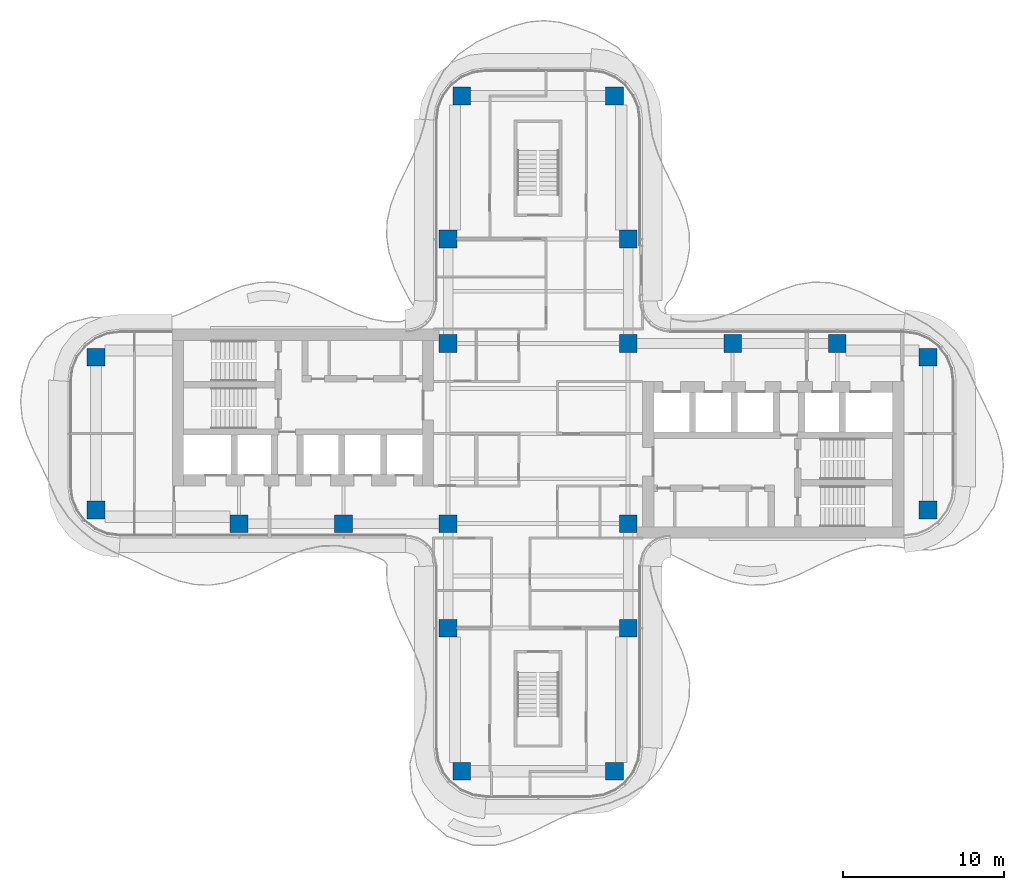
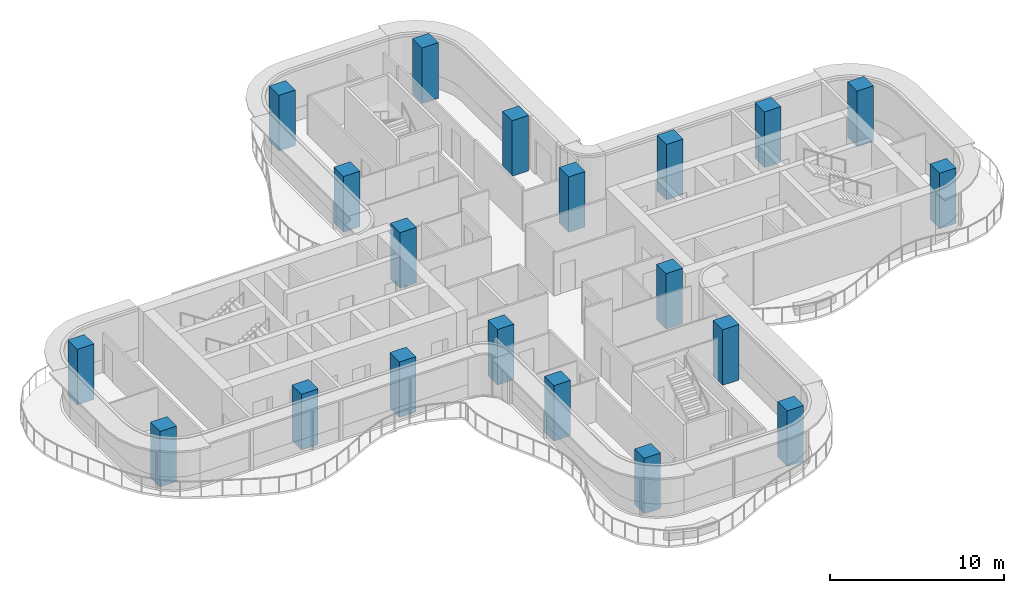
# One storey, part 1 of 16: 20 columns.
"""IFC4 building model written with IfcOpenShell, lengths in metres."""

from ifc_helpers import new_model, si_unit, direction, frame, origin, origin_2d, place, context, subcontext, project, spatial, rectangle, extrude, source, transform, mapped, material, material_profile, profile_set, type_object, element, save


model = new_model("IFC4")

# Units and contexts
model_context = context("Model", 3, precision=1e-05, world=origin(), true_north=direction((0.0, 1.0)))
body_context = subcontext(model_context, "Body", "Model", "MODEL_VIEW")
ifc_project = project(units=[si_unit("LENGTHUNIT", "METRE"), si_unit("AREAUNIT", "SQUARE_METRE"), si_unit("VOLUMEUNIT", "CUBIC_METRE"), si_unit("PLANEANGLEUNIT", "RADIAN"), si_unit("MASSUNIT", "GRAM", prefix="KILO")], contexts=[model_context])

# Site, building, storey
site_placement = place(None, origin())
site = spatial("IfcSite", under=ifc_project, at=site_placement, CompositionType="ELEMENT")
building_placement = place(site_placement, origin())
building = spatial("IfcBuilding", under=site, at=building_placement, Name="Trellis Farm Tower", CompositionType="ELEMENT")
storey_placement = place(building_placement, frame((0.0, 0.0, 255.800048828125)))
storey = spatial("IfcBuildingStorey", under=building, at=storey_placement, Name="L57", CompositionType="ELEMENT", Elevation=255.800048828125)

# Columns
ifc_material = material(Name="Concrete C60/75", Category="concrete")
ifc_material_profile = material_profile(ifc_material, rectangle(XDim=1.10009765625, YDim=1.10009765625, at=origin_2d()), Name="RC column 1100x1100 C60/75")
ifc_profile_set = profile_set([ifc_material_profile], Name="Concrete C60/75")
column_type = type_object("IfcColumnType", Name="RC column 1100x1100 C60/75", PredefinedType="COLUMN", material=ifc_profile_set)
shared_shape = source(origin(), body_context, "Body", "SweptSolid", [
    extrude(rectangle(XDim=1.10009765625, YDim=1.10009765625, at=origin_2d()), origin(), (0.0, 0.0, 1.0), 3.89990234375),
])
for number, where, z_axis, x_axis, name in (
    (1, (12.10009765625, 5.60009765625, 0.0), (0.0, 0.0, 1.0), (1.0, 0.0, 0.0), "Column"),
    (2, (18.60009765625, 5.60009765625, 0.0), (0.0, 0.0, 1.0), (1.0, 0.0, 0.0), "Column"),
    (3, (24.25, 4.75, 0.0), (0.0, 0.0, 1.0), (1.0, 0.0, 0.0), "Column"),
    (4, (24.25, -4.75, 0.0), (0.0, 0.0, 1.0), (1.0, 0.0, 0.0), "Column"),
    (5, (-5.60009765625, 12.10009765625, 0.0), (0.0, 0.0, 1.0), (1.0, 0.0, 0.0), "Column"),
    (6, (-4.75, 21.0, 0.0), (0.0, 0.0, 1.0), (1.0, 0.0, 0.0), "Column"),
    (7, (5.60009765625, 12.10009765625, 0.0), (0.0, 0.0, 1.0), (1.0, 0.0, 0.0), "Column"),
    (8, (4.75, 21.0, 0.0), (0.0, 0.0, 1.0), (1.0, 0.0, 0.0), "Column"),
    (9, (5.60009765625, 5.60009765625, 0.0), (0.0, 0.0, 1.0), (1.0, 0.0, 0.0), "Column"),
    (10, (-5.60009765625, 5.60009765625, 0.0), (0.0, 0.0, 1.0), (1.0, 0.0, 0.0), "Column"),
    (11, (5.60009765625, -5.60009765625, 0.0), (0.0, 0.0, 1.0), (1.0, 0.0, 0.0), "Column"),
    (12, (-5.60009765625, -5.60009765625, 0.0), (0.0, 0.0, 1.0), (1.0, 0.0, 0.0), "Column"),
    (13, (5.60009765625, -12.10009765625, 0.0), (0.0, 0.0, 1.0), (1.0, 0.0, 0.0), "Column"),
    (14, (4.75, -21.0, 0.0), (0.0, 0.0, 1.0), (1.0, 0.0, 0.0), "Column"),
    (15, (-5.60009765625, -12.10009765625, 0.0), (0.0, 0.0, 1.0), (1.0, 0.0, 0.0), "Column"),
    (16, (-4.75, -21.0, 0.0), (0.0, 0.0, 1.0), (1.0, 0.0, 0.0), "Column"),
    (17, (-12.10009765625, -5.60009765625, 0.0), (0.0, 0.0, 1.0), (1.0, 0.0, 0.0), "Column"),
    (18, (-18.60009765625, -5.60009765625, 0.0), (0.0, 0.0, 1.0), (1.0, 0.0, 0.0), "Column"),
    (19, (-27.5, -4.75, 0.0), (0.0, 0.0, 1.0), (1.0, 0.0, 0.0), "Column"),
    (20, (-27.5, 4.75, 0.0), (0.0, 0.0, 1.0), (1.0, 0.0, 0.0), "Column"),
):
    element("IfcColumn", number, at=place(storey_placement, frame(where, z_axis=z_axis, x_axis=x_axis)), inside=storey, type_object=column_type, Name=name, PredefinedType="COLUMN", context=body_context, shape_type="MappedRepresentation", body=[
        mapped(shared_shape, transform((0.0, 0.0, 0.0))),
    ])

save(model, "model.ifc")
